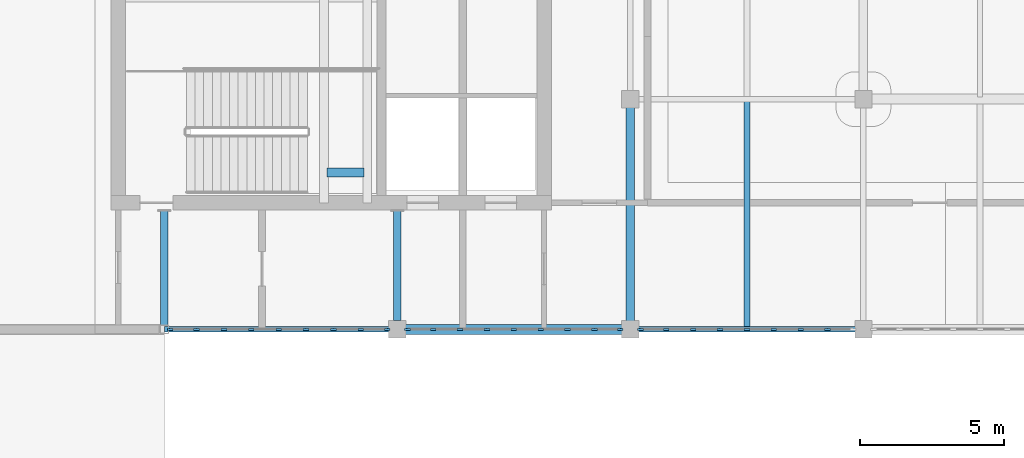
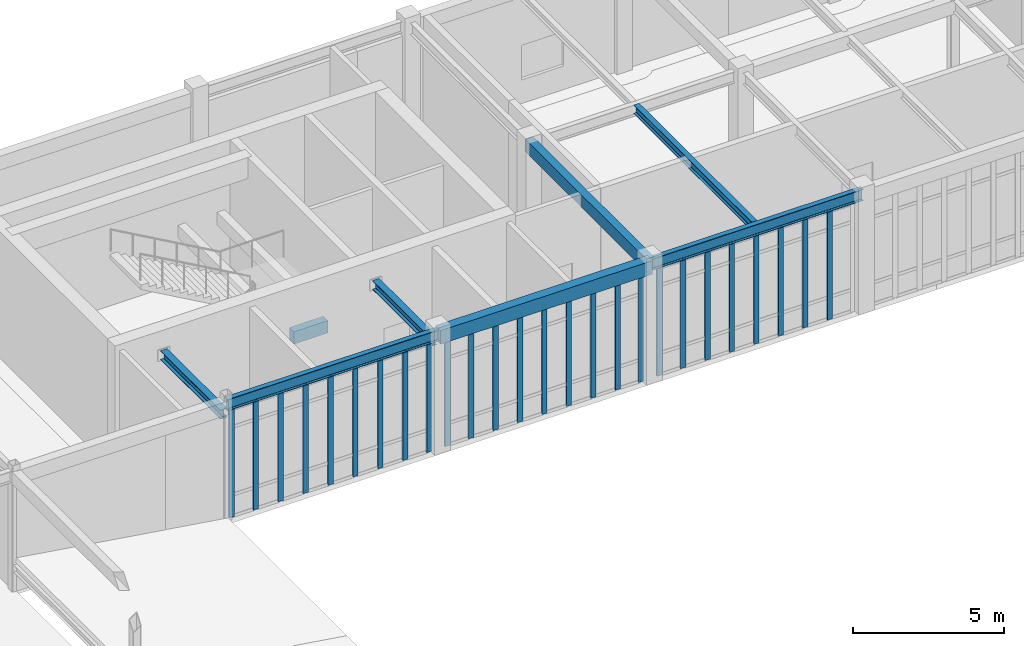
# One storey, part 22 of 70: 28 members, 6 beams, 3 elements without a shape of their own.
"""IFC4 building model written with IfcOpenShell, lengths in metres."""

from ifc_helpers import new_model, si_unit, direction, frame, origin, origin_2d, place, context, subcontext, project, spatial, rectangle, i_section, extrude, material, material_profile, profile_set, type_object, element, aggregate, save


model = new_model("IFC4")

# Units and contexts
model_context = context("Model", 3, precision=1e-05, world=origin(), true_north=direction((0.0, 1.0)))
body_context = subcontext(model_context, "Body", "Model", "MODEL_VIEW")
ifc_project = project(units=[si_unit("LENGTHUNIT", "METRE"), si_unit("AREAUNIT", "SQUARE_METRE"), si_unit("VOLUMEUNIT", "CUBIC_METRE"), si_unit("PLANEANGLEUNIT", "RADIAN"), si_unit("MASSUNIT", "GRAM", prefix="KILO")], contexts=[model_context])

# Site, building, storey
site_placement = place(None, origin())
site = spatial("IfcSite", under=ifc_project, at=site_placement, CompositionType="ELEMENT")
building_placement = place(site_placement, origin())
building = spatial("IfcBuilding", under=site, at=building_placement, Name="Tarnveldt Square Police Headquarters", CompositionType="ELEMENT")
storey_placement = place(building_placement, frame((0.0, 0.0, 19.800048828125)))
storey = spatial("IfcBuildingStorey", under=building, at=storey_placement, Name="L04", CompositionType="ELEMENT", Elevation=19.800048828125)

# Beams
ifc_material_1 = material(Name="Concrete 40 MPa", Category="concrete")
ifc_material_profile_1 = material_profile(ifc_material_1, rectangle(XDim=0.300048828125, YDim=0.5, at=origin_2d()), Name="RC-B300x500")
ifc_profile_set_1 = profile_set([ifc_material_profile_1], Name="Concrete 40 MPa")
beam_type_1 = type_object("IfcBeamType", Name="BM-RC300x500", PredefinedType="BEAM", material=ifc_profile_set_1)
beam_1_placement = place(storey_placement, frame((54.25, 101.449951171875, 2.099853515625), z_axis=(1.0, 0.0, 0.0), x_axis=(0.0, 1.0, 0.0)))
element("IfcBeam", 1, at=beam_1_placement, inside=storey, type_object=beam_type_1, Name="ST3 L04 Half-Landing Support Beam 2", PredefinedType="BEAM", context=body_context, shape_type="SweptSolid", body=[
    extrude(rectangle(XDim=0.300048828125, YDim=0.5, at=origin_2d()), origin(), (0.0, 0.0, 1.0), 1.300048828125),
])
beam_2_placement = place(storey_placement, frame((64.800048828125, 96.0, 4.60986328125), z_axis=(0.0, 1.0, 0.0), x_axis=(-1.0, 0.0, 0.0)))
element("IfcBeam", 2, at=beam_2_placement, inside=storey, type_object=beam_type_1, Name="L05 Grid Girder Y-0997", PredefinedType="BEAM", context=body_context, shape_type="SweptSolid", body=[
    extrude(rectangle(XDim=0.300048828125, YDim=0.5, at=origin_2d()), origin(), (0.0, 0.0, 1.0), 8.0),
])
ifc_material_profile_2 = material_profile(ifc_material_1, rectangle(XDim=0.35009765625, YDim=0.550048828125, at=origin_2d()), Name="RC-B350x550")
ifc_profile_set_2 = profile_set([ifc_material_profile_2], Name="Concrete 40 MPa")
beam_type_2 = type_object("IfcBeamType", Name="BM-RC350x550", PredefinedType="BEAM", material=ifc_profile_set_2)
beam_3_placement = place(storey_placement, frame((56.699951171875, 96.0, 4.5849609375), z_axis=(1.0, 0.0, 0.0), x_axis=(0.0, 1.0, 0.0)))
element("IfcBeam", 3, at=beam_3_placement, inside=storey, type_object=beam_type_2, Name="L05 Grid Girder X-0942", PredefinedType="BEAM", context=body_context, shape_type="SweptSolid", body=[
    extrude(rectangle(XDim=0.35009765625, YDim=0.550048828125, at=origin_2d()), origin(), (0.0, 0.0, 1.0), 8.10009765625),
])
ifc_material_2 = material(Name="Steel 350W", Category="steel")
ifc_material_profile_3 = material_profile(ifc_material_2, i_section(OverallWidth=0.205078125, OverallDepth=0.35400390625, WebThickness=0.009521484375, FlangeThickness=0.016845703125, FilletRadius=0.01611328125, at=origin_2d()), Name="W360x79")
ifc_profile_set_3 = profile_set([ifc_material_profile_3], Name="Steel 350W")
beam_type_3 = type_object("IfcBeamType", Name="BM-W360x79", PredefinedType="JOIST", material=ifc_profile_set_3)
beam_4_placement = place(storey_placement, frame((68.85009765625, 96.080078125, 4.682861328125), z_axis=(0.0, 1.0, 0.0), x_axis=(-1.0, 0.0, 0.0)))
element("IfcBeam", 4, at=beam_4_placement, inside=storey, type_object=beam_type_3, Name="L05 Secondary Floor Joist 0226", PredefinedType="JOIST", context=body_context, shape_type="SweptSolid", body=[
    extrude(i_section(OverallWidth=0.205078125, OverallDepth=0.35400390625, WebThickness=0.009521484375, FlangeThickness=0.016845703125, FilletRadius=0.01611328125, at=origin_2d()), origin(), (0.0, 0.0, 1.0), 7.83984375),
])
ifc_material_profile_4 = material_profile(ifc_material_2, i_section(OverallWidth=0.19189453125, OverallDepth=0.462890625, WebThickness=0.010498046875, FlangeThickness=0.017578125, FilletRadius=0.01806640625, at=origin_2d()), Name="W460x89")
ifc_profile_set_4 = profile_set([ifc_material_profile_4], Name="Steel 350W")
beam_type_4 = type_object("IfcBeamType", Name="BM-W460x89", PredefinedType="BEAM", material=ifc_profile_set_4)
for number, where, z_axis, x_axis, name in (
    (5, (48.60009765625, 96.0, 4.62841796875), (1.0, 0.0, 0.0), (0.0, 1.0, 0.0), "L05 Grid Girder X-0941"),
    (6, (64.800048828125, 96.0, 4.62841796875), (1.0, 0.0, 0.0), (0.0, 1.0, 0.0), "L05 Grid Girder X-0943"),
):
    element("IfcBeam", number, at=place(storey_placement, frame(where, z_axis=z_axis, x_axis=x_axis)), inside=storey, type_object=beam_type_4, Name=name, PredefinedType="BEAM", context=body_context, shape_type="SweptSolid", body=[
        extrude(i_section(OverallWidth=0.19189453125, OverallDepth=0.462890625, WebThickness=0.010498046875, FlangeThickness=0.017578125, FilletRadius=0.01806640625, at=origin_2d()), origin(), (0.0, 0.0, 1.0), 8.099853515625),
    ])

# Curtain wall, members
ifc_material_3 = material(Name="Triple-glazed low-e laminated vision glass", Category="glass")
curtain_wall_type_1 = type_object("IfcCurtainWallType", Name="CW-LB-762x439", PredefinedType="USERDEFINED", material=ifc_material_3)
curtain_wall_1_placement = place(storey_placement, origin())
curtain_wall_1 = element("IfcCurtainWall", 7, at=curtain_wall_1_placement, inside=storey, type_object=curtain_wall_type_1, Name="L04 Curtain Wall CW-L04-126", ObjectType="GLAZED CURTAIN WALL", PredefinedType="USERDEFINED")
ifc_material_4 = material(Name="Thermally broken anodised aluminium 6063-T6", Category="aluminium")
ifc_material_profile_5 = material_profile(ifc_material_4, rectangle(XDim=0.074951171875, YDim=0.199951171875, at=origin_2d()), Name="CW-M75x200")
ifc_profile_set_5 = profile_set([ifc_material_profile_5], Name="Thermally broken anodised aluminium 6063-T6")
member_type_1 = type_object("IfcMemberType", Name="CWM-75x200", PredefinedType="MULLION", material=ifc_profile_set_5)
member_1_placement = place(storey_placement, frame((48.804931640625, 96.0, 0.0), z_axis=(0.0, 0.0, 1.0), x_axis=(0.0, 1.0, 0.0)))
member_1 = element("IfcMember", 8, at=member_1_placement, type_object=member_type_1, Name="CW-LB76 mullion 1", PredefinedType="MULLION", context=body_context, shape_type="SweptSolid", body=[
    extrude(rectangle(XDim=0.074951171875, YDim=0.199951171875, at=origin_2d()), origin(), (0.0, 0.0, 1.0), 4.388916015625),
])
member_2_placement = place(storey_placement, frame((49.719482421875, 96.0, 0.0), z_axis=(0.0, 0.0, 1.0), x_axis=(0.0, 1.0, 0.0)))
member_2 = element("IfcMember", 9, at=member_2_placement, type_object=member_type_1, Name="CW-LB76 mullion 2", PredefinedType="MULLION", context=body_context, shape_type="SweptSolid", body=[
    extrude(rectangle(XDim=0.074951171875, YDim=0.199951171875, at=origin_2d()), origin(), (0.0, 0.0, 1.0), 4.388916015625),
])
member_3_placement = place(storey_placement, frame((50.671875, 96.0, 0.0), z_axis=(0.0, 0.0, 1.0), x_axis=(0.0, 1.0, 0.0)))
member_3 = element("IfcMember", 10, at=member_3_placement, type_object=member_type_1, Name="CW-LB76 mullion 3", PredefinedType="MULLION", context=body_context, shape_type="SweptSolid", body=[
    extrude(rectangle(XDim=0.074951171875, YDim=0.199951171875, at=origin_2d()), origin(), (0.0, 0.0, 1.0), 4.388916015625),
])
member_4_placement = place(storey_placement, frame((51.6240234375, 96.0, 0.0), z_axis=(0.0, 0.0, 1.0), x_axis=(0.0, 1.0, 0.0)))
member_4 = element("IfcMember", 11, at=member_4_placement, type_object=member_type_1, Name="CW-LB76 mullion 4", PredefinedType="MULLION", context=body_context, shape_type="SweptSolid", body=[
    extrude(rectangle(XDim=0.074951171875, YDim=0.199951171875, at=origin_2d()), origin(), (0.0, 0.0, 1.0), 4.388916015625),
])
member_5_placement = place(storey_placement, frame((52.576171875, 96.0, 0.0), z_axis=(0.0, 0.0, 1.0), x_axis=(0.0, 1.0, 0.0)))
member_5 = element("IfcMember", 12, at=member_5_placement, type_object=member_type_1, Name="CW-LB76 mullion 5", PredefinedType="MULLION", context=body_context, shape_type="SweptSolid", body=[
    extrude(rectangle(XDim=0.074951171875, YDim=0.199951171875, at=origin_2d()), origin(), (0.0, 0.0, 1.0), 4.388916015625),
])
member_6_placement = place(storey_placement, frame((53.5283203125, 96.0, 0.0), z_axis=(0.0, 0.0, 1.0), x_axis=(0.0, 1.0, 0.0)))
member_6 = element("IfcMember", 13, at=member_6_placement, type_object=member_type_1, Name="CW-LB76 mullion 6", PredefinedType="MULLION", context=body_context, shape_type="SweptSolid", body=[
    extrude(rectangle(XDim=0.074951171875, YDim=0.199951171875, at=origin_2d()), origin(), (0.0, 0.0, 1.0), 4.388916015625),
])
member_7_placement = place(storey_placement, frame((54.480712890625, 96.0, 0.0), z_axis=(0.0, 0.0, 1.0), x_axis=(0.0, 1.0, 0.0)))
member_7 = element("IfcMember", 14, at=member_7_placement, type_object=member_type_1, Name="CW-LB76 mullion 7", PredefinedType="MULLION", context=body_context, shape_type="SweptSolid", body=[
    extrude(rectangle(XDim=0.074951171875, YDim=0.199951171875, at=origin_2d()), origin(), (0.0, 0.0, 1.0), 4.388916015625),
])
member_8_placement = place(storey_placement, frame((55.432861328125, 96.0, 0.0), z_axis=(0.0, 0.0, 1.0), x_axis=(0.0, 1.0, 0.0)))
member_8 = element("IfcMember", 15, at=member_8_placement, type_object=member_type_1, Name="CW-LB76 mullion 8", PredefinedType="MULLION", context=body_context, shape_type="SweptSolid", body=[
    extrude(rectangle(XDim=0.074951171875, YDim=0.199951171875, at=origin_2d()), origin(), (0.0, 0.0, 1.0), 4.388916015625),
])
member_9_placement = place(storey_placement, frame((56.347412109375, 96.0, 0.0), z_axis=(0.0, 0.0, 1.0), x_axis=(0.0, 1.0, 0.0)))
member_9 = element("IfcMember", 16, at=member_9_placement, type_object=member_type_1, Name="CW-LB76 mullion 9", PredefinedType="MULLION", context=body_context, shape_type="SweptSolid", body=[
    extrude(rectangle(XDim=0.074951171875, YDim=0.199951171875, at=origin_2d()), origin(), (0.0, 0.0, 1.0), 4.388916015625),
])
aggregate(curtain_wall_1, [member_1, member_2, member_3, member_4, member_5, member_6, member_7, member_8, member_9])

curtain_wall_type_2 = type_object("IfcCurtainWallType", Name="CW-LB-747x430", PredefinedType="USERDEFINED", material=ifc_material_3)
curtain_wall_2_placement = place(storey_placement, origin())
curtain_wall_2 = element("IfcCurtainWall", 17, at=curtain_wall_2_placement, inside=storey, type_object=curtain_wall_type_2, Name="L04 Curtain Wall CW-L04-127", ObjectType="GLAZED CURTAIN WALL", PredefinedType="USERDEFINED")
member_10_placement = place(storey_placement, frame((57.052490234375, 96.0, 0.0), z_axis=(0.0, 0.0, 1.0), x_axis=(0.0, 1.0, 0.0)))
member_10 = element("IfcMember", 18, at=member_10_placement, type_object=member_type_1, Name="CW-LB71 mullion 1", PredefinedType="MULLION", context=body_context, shape_type="SweptSolid", body=[
    extrude(rectangle(XDim=0.074951171875, YDim=0.199951171875, at=origin_2d()), origin(), (0.0, 0.0, 1.0), 4.302001953125),
])
member_11_placement = place(storey_placement, frame((57.94873046875, 96.0, 0.0), z_axis=(0.0, 0.0, 1.0), x_axis=(0.0, 1.0, 0.0)))
member_11 = element("IfcMember", 19, at=member_11_placement, type_object=member_type_1, Name="CW-LB71 mullion 2", PredefinedType="MULLION", context=body_context, shape_type="SweptSolid", body=[
    extrude(rectangle(XDim=0.074951171875, YDim=0.199951171875, at=origin_2d()), origin(), (0.0, 0.0, 1.0), 4.302001953125),
])
member_12_placement = place(storey_placement, frame((58.882568359375, 96.0, 0.0), z_axis=(0.0, 0.0, 1.0), x_axis=(0.0, 1.0, 0.0)))
member_12 = element("IfcMember", 20, at=member_12_placement, type_object=member_type_1, Name="CW-LB71 mullion 3", PredefinedType="MULLION", context=body_context, shape_type="SweptSolid", body=[
    extrude(rectangle(XDim=0.074951171875, YDim=0.199951171875, at=origin_2d()), origin(), (0.0, 0.0, 1.0), 4.302001953125),
])
member_13_placement = place(storey_placement, frame((59.816162109375, 96.0, 0.0), z_axis=(0.0, 0.0, 1.0), x_axis=(0.0, 1.0, 0.0)))
member_13 = element("IfcMember", 21, at=member_13_placement, type_object=member_type_1, Name="CW-LB71 mullion 4", PredefinedType="MULLION", context=body_context, shape_type="SweptSolid", body=[
    extrude(rectangle(XDim=0.074951171875, YDim=0.199951171875, at=origin_2d()), origin(), (0.0, 0.0, 1.0), 4.302001953125),
])
member_14_placement = place(storey_placement, frame((60.75, 96.0, 0.0), z_axis=(0.0, 0.0, 1.0), x_axis=(0.0, 1.0, 0.0)))
member_14 = element("IfcMember", 22, at=member_14_placement, type_object=member_type_1, Name="CW-LB71 mullion 5", PredefinedType="MULLION", context=body_context, shape_type="SweptSolid", body=[
    extrude(rectangle(XDim=0.074951171875, YDim=0.199951171875, at=origin_2d()), origin(), (0.0, 0.0, 1.0), 4.302001953125),
])
member_15_placement = place(storey_placement, frame((61.683837890625, 96.0, 0.0), z_axis=(0.0, 0.0, 1.0), x_axis=(0.0, 1.0, 0.0)))
member_15 = element("IfcMember", 23, at=member_15_placement, type_object=member_type_1, Name="CW-LB71 mullion 6", PredefinedType="MULLION", context=body_context, shape_type="SweptSolid", body=[
    extrude(rectangle(XDim=0.074951171875, YDim=0.199951171875, at=origin_2d()), origin(), (0.0, 0.0, 1.0), 4.302001953125),
])
member_16_placement = place(storey_placement, frame((62.617431640625, 96.0, 0.0), z_axis=(0.0, 0.0, 1.0), x_axis=(0.0, 1.0, 0.0)))
member_16 = element("IfcMember", 24, at=member_16_placement, type_object=member_type_1, Name="CW-LB71 mullion 7", PredefinedType="MULLION", context=body_context, shape_type="SweptSolid", body=[
    extrude(rectangle(XDim=0.074951171875, YDim=0.199951171875, at=origin_2d()), origin(), (0.0, 0.0, 1.0), 4.302001953125),
])
member_17_placement = place(storey_placement, frame((63.55126953125, 96.0, 0.0), z_axis=(0.0, 0.0, 1.0), x_axis=(0.0, 1.0, 0.0)))
member_17 = element("IfcMember", 25, at=member_17_placement, type_object=member_type_1, Name="CW-LB71 mullion 8", PredefinedType="MULLION", context=body_context, shape_type="SweptSolid", body=[
    extrude(rectangle(XDim=0.074951171875, YDim=0.199951171875, at=origin_2d()), origin(), (0.0, 0.0, 1.0), 4.302001953125),
])
member_18_placement = place(storey_placement, frame((64.447509765625, 96.0, 0.0), z_axis=(0.0, 0.0, 1.0), x_axis=(0.0, 1.0, 0.0)))
member_18 = element("IfcMember", 26, at=member_18_placement, type_object=member_type_1, Name="CW-LB71 mullion 9", PredefinedType="MULLION", context=body_context, shape_type="SweptSolid", body=[
    extrude(rectangle(XDim=0.074951171875, YDim=0.199951171875, at=origin_2d()), origin(), (0.0, 0.0, 1.0), 4.302001953125),
])
aggregate(curtain_wall_2, [member_10, member_11, member_12, member_13, member_14, member_15, member_16, member_17, member_18])

curtain_wall_type_3 = type_object("IfcCurtainWallType", Name="CW-LB-747x439", PredefinedType="USERDEFINED", material=ifc_material_3)
curtain_wall_3_placement = place(storey_placement, origin())
curtain_wall_3 = element("IfcCurtainWall", 27, at=curtain_wall_3_placement, inside=storey, type_object=curtain_wall_type_3, Name="L04 Curtain Wall CW-L04-128", ObjectType="GLAZED CURTAIN WALL", PredefinedType="USERDEFINED")
member_19_placement = place(storey_placement, frame((65.152587890625, 96.0, 0.0), z_axis=(0.0, 0.0, 1.0), x_axis=(0.0, 1.0, 0.0)))
member_19 = element("IfcMember", 28, at=member_19_placement, type_object=member_type_1, Name="CW-LB77 mullion 1", PredefinedType="MULLION", context=body_context, shape_type="SweptSolid", body=[
    extrude(rectangle(XDim=0.074951171875, YDim=0.199951171875, at=origin_2d()), origin(), (0.0, 0.0, 1.0), 4.388916015625),
])
member_20_placement = place(storey_placement, frame((66.048828125, 96.0, 0.0), z_axis=(0.0, 0.0, 1.0), x_axis=(0.0, 1.0, 0.0)))
member_20 = element("IfcMember", 29, at=member_20_placement, type_object=member_type_1, Name="CW-LB77 mullion 2", PredefinedType="MULLION", context=body_context, shape_type="SweptSolid", body=[
    extrude(rectangle(XDim=0.074951171875, YDim=0.199951171875, at=origin_2d()), origin(), (0.0, 0.0, 1.0), 4.388916015625),
])
member_21_placement = place(storey_placement, frame((66.982421875, 96.0, 0.0), z_axis=(0.0, 0.0, 1.0), x_axis=(0.0, 1.0, 0.0)))
member_21 = element("IfcMember", 30, at=member_21_placement, type_object=member_type_1, Name="CW-LB77 mullion 3", PredefinedType="MULLION", context=body_context, shape_type="SweptSolid", body=[
    extrude(rectangle(XDim=0.074951171875, YDim=0.199951171875, at=origin_2d()), origin(), (0.0, 0.0, 1.0), 4.388916015625),
])
member_22_placement = place(storey_placement, frame((67.916259765625, 96.0, 0.0), z_axis=(0.0, 0.0, 1.0), x_axis=(0.0, 1.0, 0.0)))
member_22 = element("IfcMember", 31, at=member_22_placement, type_object=member_type_1, Name="CW-LB77 mullion 4", PredefinedType="MULLION", context=body_context, shape_type="SweptSolid", body=[
    extrude(rectangle(XDim=0.074951171875, YDim=0.199951171875, at=origin_2d()), origin(), (0.0, 0.0, 1.0), 4.388916015625),
])
member_23_placement = place(storey_placement, frame((68.85009765625, 96.0, 0.0), z_axis=(0.0, 0.0, 1.0), x_axis=(0.0, 1.0, 0.0)))
member_23 = element("IfcMember", 32, at=member_23_placement, type_object=member_type_1, Name="CW-LB77 mullion 5", PredefinedType="MULLION", context=body_context, shape_type="SweptSolid", body=[
    extrude(rectangle(XDim=0.074951171875, YDim=0.199951171875, at=origin_2d()), origin(), (0.0, 0.0, 1.0), 4.388916015625),
])
member_24_placement = place(storey_placement, frame((69.78369140625, 96.0, 0.0), z_axis=(0.0, 0.0, 1.0), x_axis=(0.0, 1.0, 0.0)))
member_24 = element("IfcMember", 33, at=member_24_placement, type_object=member_type_1, Name="CW-LB77 mullion 6", PredefinedType="MULLION", context=body_context, shape_type="SweptSolid", body=[
    extrude(rectangle(XDim=0.074951171875, YDim=0.199951171875, at=origin_2d()), origin(), (0.0, 0.0, 1.0), 4.388916015625),
])
member_25_placement = place(storey_placement, frame((70.717529296875, 96.0, 0.0), z_axis=(0.0, 0.0, 1.0), x_axis=(0.0, 1.0, 0.0)))
member_25 = element("IfcMember", 34, at=member_25_placement, type_object=member_type_1, Name="CW-LB77 mullion 7", PredefinedType="MULLION", context=body_context, shape_type="SweptSolid", body=[
    extrude(rectangle(XDim=0.074951171875, YDim=0.199951171875, at=origin_2d()), origin(), (0.0, 0.0, 1.0), 4.388916015625),
])
member_26_placement = place(storey_placement, frame((71.6513671875, 96.0, 0.0), z_axis=(0.0, 0.0, 1.0), x_axis=(0.0, 1.0, 0.0)))
member_26 = element("IfcMember", 35, at=member_26_placement, type_object=member_type_1, Name="CW-LB77 mullion 8", PredefinedType="MULLION", context=body_context, shape_type="SweptSolid", body=[
    extrude(rectangle(XDim=0.074951171875, YDim=0.199951171875, at=origin_2d()), origin(), (0.0, 0.0, 1.0), 4.388916015625),
])
aggregate(curtain_wall_3, [member_19, member_20, member_21, member_22, member_23, member_24, member_25, member_26])

# Members
ifc_material_profile_6 = material_profile(ifc_material_2, i_section(OverallWidth=0.257080078125, OverallDepth=0.363037109375, WebThickness=0.012939453125, FlangeThickness=0.021728515625, FilletRadius=0.01611328125, at=origin_2d()), Name="W360x122")
ifc_profile_set_6 = profile_set([ifc_material_profile_6], Name="Steel 350W")
member_type_2 = type_object("IfcMemberType", Name="MEM-CT-POST", PredefinedType="STRUT", material=ifc_profile_set_6)
member_27_placement = place(storey_placement, frame((48.60009765625, 96.14990234375, 4.14990234375), z_axis=(0.0, 1.0, 0.0), x_axis=(-1.0, 0.0, 0.0)))
element("IfcMember", 36, at=member_27_placement, inside=storey, type_object=member_type_2, Name="Cantilever Collector Strut CTP1 to Core K3 L04.2", PredefinedType="STRUT", context=body_context, shape_type="SweptSolid", body=[
    extrude(i_section(OverallWidth=0.257080078125, OverallDepth=0.363037109375, WebThickness=0.012939453125, FlangeThickness=0.021728515625, FilletRadius=0.01611328125, at=origin_2d()), origin(), (0.0, 0.0, 1.0), 3.962158203125),
])
member_28_placement = place(storey_placement, frame((56.699951171875, 96.300048828125, 4.14990234375), z_axis=(0.0, 1.0, 0.0), x_axis=(-1.0, 0.0, 0.0)))
element("IfcMember", 37, at=member_28_placement, inside=storey, type_object=member_type_2, Name="Cantilever Collector Strut CTP1 to Core K3 L04.3", PredefinedType="STRUT", context=body_context, shape_type="SweptSolid", body=[
    extrude(i_section(OverallWidth=0.257080078125, OverallDepth=0.363037109375, WebThickness=0.012939453125, FlangeThickness=0.021728515625, FilletRadius=0.01611328125, at=origin_2d()), origin(), (0.0, 0.0, 1.0), 3.81201171875),
])

save(model, "model.ifc")
